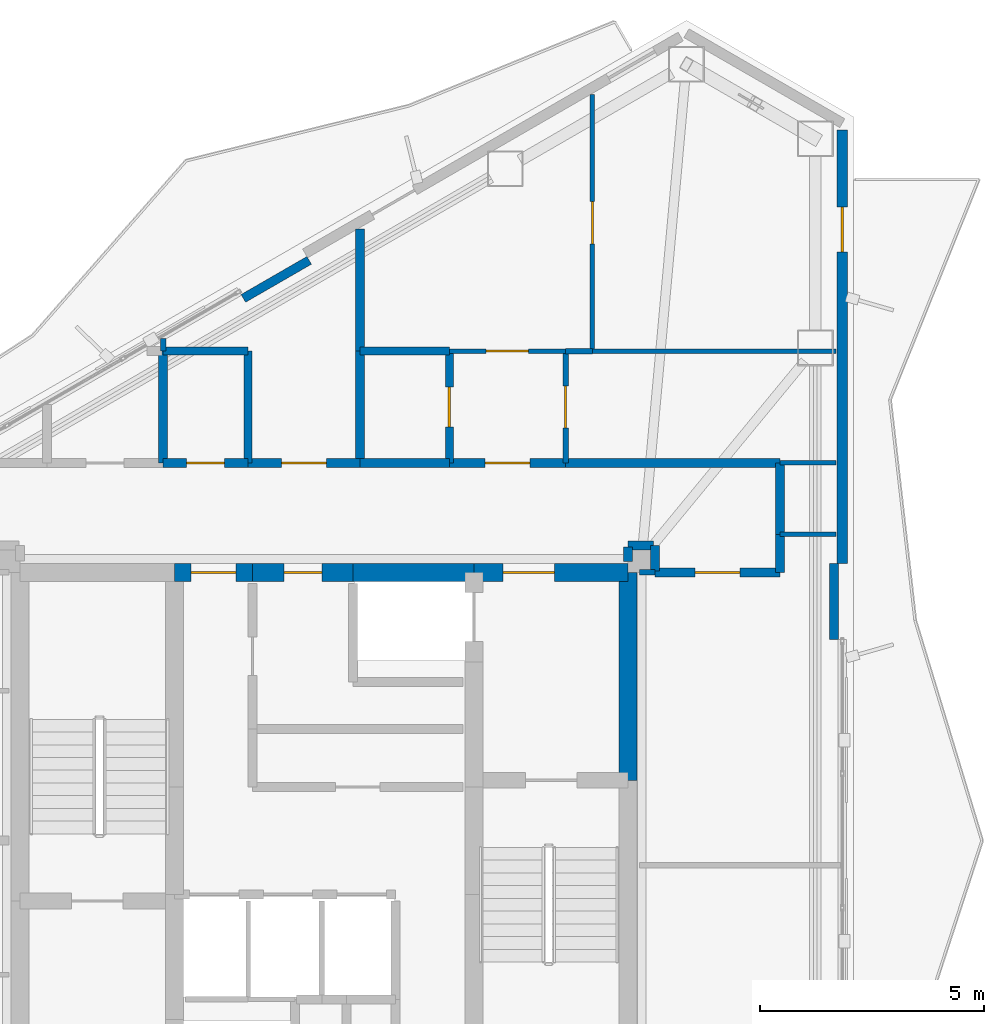
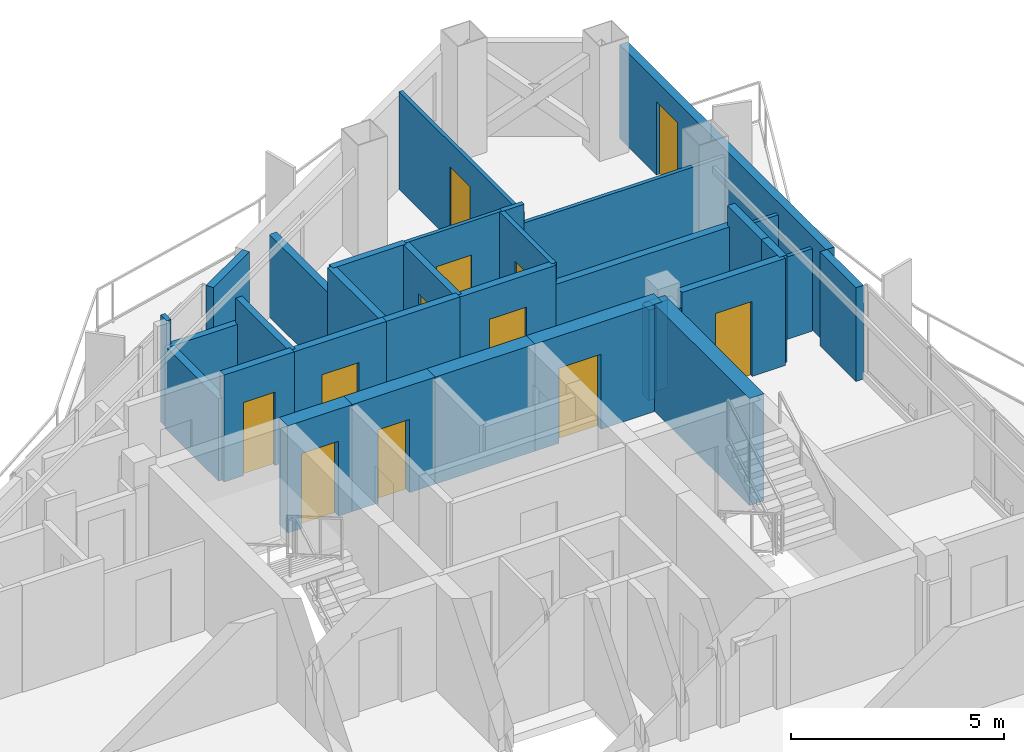
# One storey, part 19 of 22: 35 walls, 12 doors, 12 openings.
"""IFC4 building model written with IfcOpenShell, lengths in metres."""

from ifc_helpers import new_model, si_unit, direction, frame, frame_2d, origin, place, context, subcontext, project, spatial, rectangle, extrude, material, layer, layer_set, type_object, element, fill, save


model = new_model("IFC4")

# Units and contexts
model_context = context("Model", 3, precision=1e-05, world=origin(), true_north=direction((0.0, 1.0)))
body_context = subcontext(model_context, "Body", "Model", "MODEL_VIEW")
ifc_project = project(units=[si_unit("LENGTHUNIT", "METRE"), si_unit("AREAUNIT", "SQUARE_METRE"), si_unit("VOLUMEUNIT", "CUBIC_METRE"), si_unit("PLANEANGLEUNIT", "RADIAN"), si_unit("MASSUNIT", "GRAM", prefix="KILO")], contexts=[model_context])

# Site, building, storey
site_placement = place(None, origin())
site = spatial("IfcSite", under=ifc_project, at=site_placement, CompositionType="ELEMENT")
building_placement = place(site_placement, origin())
building = spatial("IfcBuilding", under=site, at=building_placement, Name="Mersakhor Tower and Convention Hall", CompositionType="ELEMENT")
storey_placement = place(building_placement, frame((0.0, 0.0, 201.89990234375)))
storey = spatial("IfcBuildingStorey", under=building, at=storey_placement, Name="L56", CompositionType="ELEMENT", Elevation=201.89990234375)

# Wall, opening, door
ifc_material_1 = material(Name="Precast concrete C40/50", Category="concrete")
ifc_layer_1 = layer(ifc_material_1, 0.22509765625)
ifc_layer_set_1 = layer_set([ifc_layer_1], Name="Precast concrete C40/50")
wall_type_1 = type_object("IfcWallType", Name="WL-EXT-225", PredefinedType="SOLIDWALL", material=ifc_layer_set_1)
wall_1_placement = place(storey_placement, frame((40.58837890625, 42.6484375, 0.0), z_axis=(0.0, 0.0, 1.0), x_axis=(0.0, -1.0, 0.0)))
wall_1 = element("IfcWall", 1, at=wall_1_placement, inside=storey, type_object=wall_type_1, Name="L56 Exterior Facade Wall F2-B1", PredefinedType="SOLIDWALL", context=body_context, shape_type="SweptSolid", body=[
    extrude(rectangle(XDim=9.698974609375, YDim=0.22509765625, at=frame_2d((4.849609375, 0.0))), origin(), (0.0, 0.0, 1.0), 2.690185546875),
])
opening_1_placement = place(wall_1_placement, frame((1.72998046875, 0.0, 0.0)))
opening_1 = element("IfcOpeningElement", 2, at=opening_1_placement, cuts=wall_1, Name="Opening BD-01", PredefinedType="OPENING", context=body_context, shape_type="SweptSolid", body=[
    extrude(rectangle(XDim=1.0, YDim=2.10009765625, at=frame_2d((0.5, 1.050048828125))), frame((0.0, 0.12255859375, 0.0), z_axis=(0.0, -1.0, 0.0), x_axis=(1.0, 0.0, 0.0)), (0.0, 0.0, 1.0), 0.2451171875),
])
ifc_material_2 = material(Name="Thermally broken dark aluminium and safety glass", Category="aluminium")
door_type_1 = type_object("IfcDoorType", Name="DR-BAL-100x210", OperationType="NOTDEFINED", PredefinedType="DOOR", material=ifc_material_2)
door_1_placement = place(opening_1_placement, origin())
door_1 = element("IfcDoor", 3, at=door_1_placement, inside=storey, type_object=door_type_1, Name="L56 Balcony Terrace Door F2-B1", OperationType="SINGLE_SWING_LEFT", OverallHeight=2.10009765625, OverallWidth=1.0, PredefinedType="DOOR", context=body_context, shape_type="SweptSolid", body=[
    extrude(rectangle(XDim=1.0, YDim=2.10009765625, at=frame_2d((0.5, 1.050048828125))), frame((0.0, 0.02490234375, 0.0), z_axis=(0.0, -1.0, 0.0), x_axis=(1.0, 0.0, 0.0)), (0.0, 0.0, 1.0), 0.050048828125),
])
fill(opening_1, door_1)

# Walls
ifc_material_3 = material(Name="Precast concrete C40/50", Category="concrete")
ifc_layer_2 = layer(ifc_material_3, 0.199951171875)
ifc_layer_set_2 = layer_set([ifc_layer_2], Name="Precast concrete C40/50")
wall_type_2 = type_object("IfcWallType", Name="WL-PAR-200", PredefinedType="PARAPET", material=ifc_layer_set_2)
wall_2_placement = place(storey_placement, frame((27.1923828125, 38.879638671875, 0.0), z_axis=(0.0, 0.0, 1.0), x_axis=(0.866025371046, 0.500000056704, 0.0)))
element("IfcWall", 4, at=wall_2_placement, inside=storey, type_object=wall_type_2, Name="L56 Column Pier Cladding Wall F1-C2", PredefinedType="PARAPET", context=body_context, shape_type="SweptSolid", body=[
    extrude(rectangle(XDim=1.7001953125, YDim=0.199951171875, at=frame_2d((0.85009765625, 0.0))), origin(), (0.0, 0.0, 1.0), 2.690185546875),
])
wall_3_placement = place(storey_placement, frame((40.408447265625, 32.949462890625, 0.0), z_axis=(0.0, 0.0, 1.0), x_axis=(0.0, -1.0, 0.0)))
element("IfcWall", 5, at=wall_3_placement, inside=storey, type_object=wall_type_2, Name="L56 Column Pier Cladding Wall F2-C1", PredefinedType="PARAPET", context=body_context, shape_type="SweptSolid", body=[
    extrude(rectangle(XDim=1.699951171875, YDim=0.199951171875, at=frame_2d((0.85009765625, 0.0))), origin(), (0.0, 0.0, 1.0), 2.690185546875),
])

# Wall, opening, door
ifc_material_4 = material(Name="Moisture-resistant acoustic drywall studwork", Category="other")
ifc_layer_3 = layer(ifc_material_4, 0.175048828125)
ifc_layer_set_3 = layer_set([ifc_layer_3], Name="Moisture-resistant acoustic drywall studwork")
wall_type_3 = type_object("IfcWallType", Name="WL-PLM-175", PredefinedType="PLUMBINGWALL", material=ifc_layer_set_3)
wall_4_placement = place(storey_placement, frame((31.800048828125, 35.199951171875, 0.0), z_axis=(0.0, 0.0, 1.0), x_axis=(0.0, 1.0, 0.0)))
wall_4 = element("IfcWall", 6, at=wall_4_placement, inside=storey, type_object=wall_type_3, Name="L56 Interior Partition Wall P-052", PredefinedType="PLUMBINGWALL", context=body_context, shape_type="SweptSolid", body=[
    extrude(rectangle(XDim=2.5, YDim=0.175048828125, at=frame_2d((1.25, 0.0))), origin(), (0.0, 0.0, 1.0), 3.070068359375),
])
opening_2_placement = place(wall_4_placement, frame((0.800048828125, 0.0, 0.0)))
opening_2 = element("IfcOpeningElement", 7, at=opening_2_placement, cuts=wall_4, Name="Opening WD-01", PredefinedType="OPENING", context=body_context, shape_type="SweptSolid", body=[
    extrude(rectangle(XDim=0.89990234375, YDim=2.10009765625, at=frame_2d((0.449951171875, 1.050048828125))), frame((0.0, 0.097412109375, 0.0), z_axis=(0.0, -1.0, 0.0), x_axis=(1.0, 0.0, 0.0)), (0.0, 0.0, 1.0), 0.195068359375),
])
ifc_material_5 = material(Name="Solid-core hardwood leaf in painted steel frame", Category="steel")
door_type_2 = type_object("IfcDoorType", Name="DR-INT-WET-090x210", OperationType="NOTDEFINED", PredefinedType="DOOR", material=ifc_material_5)
door_2_placement = place(opening_2_placement, origin())
door_2 = element("IfcDoor", 8, at=door_2_placement, inside=storey, type_object=door_type_2, Name="L56 L56 Flat N2 Apartment Hall to L56 Flat N2 Bathroom Door", OperationType="SINGLE_SWING_RIGHT", OverallHeight=2.10009765625, OverallWidth=0.89990234375, PredefinedType="DOOR", context=body_context, shape_type="SweptSolid", body=[
    extrude(rectangle(XDim=0.89990234375, YDim=2.10009765625, at=frame_2d((0.449951171875, 1.050048828125))), frame((0.0, 0.02490234375, 0.0), z_axis=(0.0, -1.0, 0.0), x_axis=(1.0, 0.0, 0.0)), (0.0, 0.0, 1.0), 0.050048828125),
])
fill(opening_2, door_2)

# Walls
wall_5_placement = place(storey_placement, frame((25.39990234375, 37.699951171875, 0.0), z_axis=(0.0, 0.0, 1.0), x_axis=(1.0, 0.0, 0.0)))
element("IfcWall", 9, at=wall_5_placement, inside=storey, type_object=wall_type_3, Name="L56 Interior Partition Wall P-063", PredefinedType="PLUMBINGWALL", context=body_context, shape_type="SweptSolid", body=[
    extrude(rectangle(XDim=1.900146484375, YDim=0.175048828125, at=frame_2d((0.9501953125, 0.0))), origin(), (0.0, 0.0, 1.0), 2.364990234375),
])
wall_6_placement = place(storey_placement, frame((27.300048828125, 37.699951171875, 0.0), z_axis=(0.0, 0.0, 1.0), x_axis=(0.0, -1.0, 0.0)))
element("IfcWall", 10, at=wall_6_placement, inside=storey, type_object=wall_type_3, Name="L56 Interior Partition Wall P-064", PredefinedType="PLUMBINGWALL", context=body_context, shape_type="SweptSolid", body=[
    extrude(rectangle(XDim=2.5, YDim=0.175048828125, at=frame_2d((1.25, 0.0))), origin(), (0.0, 0.0, 1.0), 3.070068359375),
])
wall_7_placement = place(storey_placement, frame((29.800048828125, 37.699951171875, 0.0), z_axis=(0.0, 0.0, 1.0), x_axis=(1.0, 0.0, 0.0)))
element("IfcWall", 11, at=wall_7_placement, inside=storey, type_object=wall_type_3, Name="L56 Interior Partition Wall P-066", PredefinedType="PLUMBINGWALL", context=body_context, shape_type="SweptSolid", body=[
    extrude(rectangle(XDim=2.0, YDim=0.175048828125, at=frame_2d((1.0, 0.0))), origin(), (0.0, 0.0, 1.0), 3.070068359375),
])

# Wall, opening, door
ifc_material_6 = material(Name="Lightweight gypsum partition", Category="other")
ifc_layer_4 = layer(ifc_material_6, 0.10009765625)
ifc_layer_set_4 = layer_set([ifc_layer_4], Name="Lightweight gypsum partition")
wall_type_4 = type_object("IfcWallType", Name="WL-PRT-100", PredefinedType="PARTITIONING", material=ifc_layer_set_4)
wall_8_placement = place(storey_placement, frame((31.800048828125, 37.699951171875, 0.0), z_axis=(0.0, 0.0, 1.0), x_axis=(1.0, 0.0, 0.0)))
wall_8 = element("IfcWall", 12, at=wall_8_placement, inside=storey, type_object=wall_type_4, Name="L56 Interior Partition Wall P-050", PredefinedType="PARTITIONING", context=body_context, shape_type="SweptSolid", body=[
    extrude(rectangle(XDim=2.599853515625, YDim=0.10009765625, at=frame_2d((1.2998046875, 0.0))), origin(), (0.0, 0.0, 1.0), 3.070068359375),
])
opening_3_placement = place(wall_8_placement, frame((0.824951171875, 0.0, 0.0)))
opening_3 = element("IfcOpeningElement", 13, at=opening_3_placement, cuts=wall_8, Name="Opening RD-01", PredefinedType="OPENING", context=body_context, shape_type="SweptSolid", body=[
    extrude(rectangle(XDim=0.949951171875, YDim=2.10009765625, at=frame_2d((0.47509765625, 1.050048828125))), frame((0.0, 0.06005859375, 0.0), z_axis=(0.0, -1.0, 0.0), x_axis=(1.0, 0.0, 0.0)), (0.0, 0.0, 1.0), 0.1201171875),
])
ifc_material_7 = material(Name="Solid-core hardwood leaf in painted steel frame", Category="steel")
door_type_3 = type_object("IfcDoorType", Name="DR-INT-RM-095x210", OperationType="NOTDEFINED", PredefinedType="DOOR", material=ifc_material_7)
door_3_placement = place(opening_3_placement, origin())
door_3 = element("IfcDoor", 14, at=door_3_placement, inside=storey, type_object=door_type_3, Name="L56 L56 Flat N2 Apartment Hall to L56 Flat N2 Living and Dining Room Door", OperationType="SINGLE_SWING_RIGHT", OverallHeight=2.10009765625, OverallWidth=0.949951171875, PredefinedType="DOOR", context=body_context, shape_type="SweptSolid", body=[
    extrude(rectangle(XDim=0.949951171875, YDim=2.10009765625, at=frame_2d((0.47509765625, 1.050048828125))), frame((0.0, 0.02490234375, 0.0), z_axis=(0.0, -1.0, 0.0), x_axis=(1.0, 0.0, 0.0)), (0.0, 0.0, 1.0), 0.050048828125),
])
fill(opening_3, door_3)

# Walls
wall_9_placement = place(storey_placement, frame((40.451904296875, 35.199951171875, 0.0), z_axis=(0.0, 0.0, 1.0), x_axis=(-1.0, 0.0, 0.0)))
element("IfcWall", 15, at=wall_9_placement, inside=storey, type_object=wall_type_4, Name="L56 Interior Partition Wall P-068", PredefinedType="PARTITIONING", context=body_context, shape_type="SweptSolid", body=[
    extrude(rectangle(XDim=1.251953125, YDim=0.10009765625, at=frame_2d((0.6259765625, 0.0))), origin(), (0.0, 0.0, 1.0), 2.364990234375),
])
wall_10_placement = place(storey_placement, frame((35.0, 37.699951171875, 0.0), z_axis=(0.0, 0.0, 1.0), x_axis=(1.0, 0.0, 0.0)))
element("IfcWall", 16, at=wall_10_placement, inside=storey, type_object=wall_type_4, Name="L56 Interior Partition Wall P-070", PredefinedType="PARTITIONING", context=body_context, shape_type="SweptSolid", body=[
    extrude(rectangle(XDim=5.451904296875, YDim=0.10009765625, at=frame_2d((2.72607421875, 0.0))), origin(), (0.0, 0.0, 1.0), 2.518310546875),
])
wall_11_placement = place(storey_placement, frame((39.199951171875, 33.60009765625, 0.0), z_axis=(0.0, 0.0, 1.0), x_axis=(1.0, 0.0, 0.0)))
element("IfcWall", 17, at=wall_11_placement, inside=storey, type_object=wall_type_4, Name="L56 Interior Partition Wall P-092", PredefinedType="PARTITIONING", context=body_context, shape_type="SweptSolid", body=[
    extrude(rectangle(XDim=1.251953125, YDim=0.10009765625, at=frame_2d((0.6259765625, 0.0))), origin(), (0.0, 0.0, 1.0), 2.364990234375),
])

# Wall, opening, door
wall_12_placement = place(storey_placement, frame((35.0, 43.4375, 0.0), z_axis=(0.0, 0.0, 1.0), x_axis=(0.0, -1.0, 0.0)))
wall_12 = element("IfcWall", 18, at=wall_12_placement, inside=storey, type_object=wall_type_4, Name="L56 Interior Partition Wall P-100", PredefinedType="PARTITIONING", context=body_context, shape_type="SweptSolid", body=[
    extrude(rectangle(XDim=5.737548828125, YDim=0.10009765625, at=frame_2d((2.86865234375, 0.0))), origin(), (0.0, 0.0, 1.0), 2.794677734375),
])
opening_4_placement = place(wall_12_placement, frame((2.393798828125, 0.0, 0.0)))
opening_4 = element("IfcOpeningElement", 19, at=opening_4_placement, cuts=wall_12, Name="Opening RD-01", PredefinedType="OPENING", context=body_context, shape_type="SweptSolid", body=[
    extrude(rectangle(XDim=0.949951171875, YDim=2.10009765625, at=frame_2d((0.47509765625, 1.050048828125))), frame((0.0, 0.06005859375, 0.0), z_axis=(0.0, -1.0, 0.0), x_axis=(1.0, 0.0, 0.0)), (0.0, 0.0, 1.0), 0.1201171875),
])
door_4_placement = place(opening_4_placement, origin())
door_4 = element("IfcDoor", 20, at=door_4_placement, inside=storey, type_object=door_type_3, Name="L56 L56 Flat N2 Living and Dining Room to L56 Flat N2 Bedroom 1 Door", OperationType="SINGLE_SWING_LEFT", OverallHeight=2.10009765625, OverallWidth=0.949951171875, PredefinedType="DOOR", context=body_context, shape_type="SweptSolid", body=[
    extrude(rectangle(XDim=0.949951171875, YDim=2.10009765625, at=frame_2d((0.47509765625, 1.050048828125))), frame((0.0, 0.02490234375, 0.0), z_axis=(0.0, -1.0, 0.0), x_axis=(1.0, 0.0, 0.0)), (0.0, 0.0, 1.0), 0.050048828125),
])
fill(opening_4, door_4)

ifc_material_8 = material(Name="Gypsum board acoustic partition", Category="other")
ifc_layer_5 = layer(ifc_material_8, 0.125)
ifc_layer_set_5 = layer_set([ifc_layer_5], Name="Gypsum board acoustic partition")
wall_type_5 = type_object("IfcWallType", Name="WL-PRT-125", PredefinedType="PARTITIONING", material=ifc_layer_set_5)
wall_13_placement = place(storey_placement, frame((34.39990234375, 37.699951171875, 0.0), z_axis=(0.0, 0.0, 1.0), x_axis=(0.0, -1.0, 0.0)))
wall_13 = element("IfcWall", 21, at=wall_13_placement, inside=storey, type_object=wall_type_5, Name="L56 Interior Partition Wall P-051", PredefinedType="PARTITIONING", context=body_context, shape_type="SweptSolid", body=[
    extrude(rectangle(XDim=2.5, YDim=0.125, at=frame_2d((1.25, 0.0))), origin(), (0.0, 0.0, 1.0), 3.070068359375),
])
opening_5_placement = place(wall_13_placement, frame((0.77490234375, 0.0, 0.0)))
opening_5 = element("IfcOpeningElement", 22, at=opening_5_placement, cuts=wall_13, Name="Opening RD-01", PredefinedType="OPENING", context=body_context, shape_type="SweptSolid", body=[
    extrude(rectangle(XDim=0.949951171875, YDim=2.10009765625, at=frame_2d((0.47509765625, 1.050048828125))), frame((0.0, 0.072509765625, 0.0), z_axis=(0.0, -1.0, 0.0), x_axis=(1.0, 0.0, 0.0)), (0.0, 0.0, 1.0), 0.14501953125),
])
door_5_placement = place(opening_5_placement, origin())
door_5 = element("IfcDoor", 23, at=door_5_placement, inside=storey, type_object=door_type_3, Name="L56 L56 Flat N2 Apartment Hall to L56 Flat N2 Kitchen Door", OperationType="SINGLE_SWING_LEFT", OverallHeight=2.10009765625, OverallWidth=0.949951171875, PredefinedType="DOOR", context=body_context, shape_type="SweptSolid", body=[
    extrude(rectangle(XDim=0.949951171875, YDim=2.10009765625, at=frame_2d((0.47509765625, 1.050048828125))), frame((0.0, 0.02490234375, 0.0), z_axis=(0.0, -1.0, 0.0), x_axis=(1.0, 0.0, 0.0)), (0.0, 0.0, 1.0), 0.050048828125),
])
fill(opening_5, door_5)

# Walls
wall_14_placement = place(storey_placement, frame((34.39990234375, 37.699951171875, 0.0), z_axis=(0.0, 0.0, 1.0), x_axis=(1.0, 0.0, 0.0)))
element("IfcWall", 24, at=wall_14_placement, inside=storey, type_object=wall_type_5, Name="L56 Interior Partition Wall P-069", PredefinedType="PARTITIONING", context=body_context, shape_type="SweptSolid", body=[
    extrude(rectangle(XDim=0.60009765625, YDim=0.125, at=frame_2d((0.300048828125, 0.0))), origin(), (0.0, 0.0, 1.0), 3.070068359375),
])
wall_15_placement = place(storey_placement, frame((36.050048828125, 32.75, 0.0), z_axis=(0.0, 0.0, 1.0), x_axis=(1.0, 0.0, 0.0)))
element("IfcWall", 25, at=wall_15_placement, inside=storey, type_object=wall_type_5, Name="L56 Interior Partition Wall P-091", PredefinedType="PARTITIONING", context=body_context, shape_type="SweptSolid", body=[
    extrude(rectangle(XDim=0.349853515625, YDim=0.125, at=frame_2d((0.1748046875, 0.0))), origin(), (0.0, 0.0, 1.0), 2.59521484375),
])
wall_16_placement = place(storey_placement, frame((25.39990234375, 37.699951171875, 0.0), z_axis=(0.0, 0.0, 1.0), x_axis=(0.0, 1.0, 0.0)))
element("IfcWall", 26, at=wall_16_placement, inside=storey, type_object=wall_type_5, Name="L56 Interior Partition Wall P-099", PredefinedType="PARTITIONING", context=body_context, shape_type="SweptSolid", body=[
    extrude(rectangle(XDim=0.27880859375, YDim=0.125, at=frame_2d((0.139404296875, 0.0))), origin(), (0.0, 0.0, 1.0), 3.070068359375),
])
ifc_material_9 = material(Name="Acoustic concrete blockwork and gypsum board", Category="masonry")
ifc_layer_6 = layer(ifc_material_9, 0.199951171875)
ifc_layer_set_6 = layer_set([ifc_layer_6], Name="Acoustic concrete blockwork and gypsum board")
wall_type_6 = type_object("IfcWallType", Name="WL-PRT-200", PredefinedType="PARTITIONING", material=ifc_layer_set_6)
wall_17_placement = place(storey_placement, frame((39.199951171875, 35.199951171875, 0.0), z_axis=(0.0, 0.0, 1.0), x_axis=(0.0, -1.0, 0.0)))
element("IfcWall", 27, at=wall_17_placement, inside=storey, type_object=wall_type_6, Name="L56 Interior Partition Wall P-016", PredefinedType="PARTITIONING", context=body_context, shape_type="SweptSolid", body=[
    extrude(rectangle(XDim=1.599853515625, YDim=0.199951171875, at=frame_2d((0.7998046875, 0.0))), origin(), (0.0, 0.0, 1.0), 3.070068359375),
])
wall_18_placement = place(storey_placement, frame((39.199951171875, 33.60009765625, 0.0), z_axis=(0.0, 0.0, 1.0), x_axis=(0.0, -1.0, 0.0)))
element("IfcWall", 28, at=wall_18_placement, inside=storey, type_object=wall_type_6, Name="L56 Interior Partition Wall P-017", PredefinedType="PARTITIONING", context=body_context, shape_type="SweptSolid", body=[
    extrude(rectangle(XDim=0.85009765625, YDim=0.199951171875, at=frame_2d((0.425048828125, 0.0))), origin(), (0.0, 0.0, 1.0), 3.070068359375),
])

# Wall, opening, door
wall_19_placement = place(storey_placement, frame((39.199951171875, 32.75, 0.0), z_axis=(0.0, 0.0, 1.0), x_axis=(-1.0, 0.0, 0.0)))
wall_19 = element("IfcWall", 29, at=wall_19_placement, inside=storey, type_object=wall_type_6, Name="L56 Interior Partition Wall P-018", PredefinedType="PARTITIONING", context=body_context, shape_type="SweptSolid", body=[
    extrude(rectangle(XDim=2.800048828125, YDim=0.199951171875, at=frame_2d((1.39990234375, 0.0))), origin(), (0.0, 0.0, 1.0), 3.070068359375),
])
opening_6_placement = place(wall_19_placement, frame((0.89990234375, 0.0, 0.0)))
opening_6 = element("IfcOpeningElement", 30, at=opening_6_placement, cuts=wall_19, Name="Opening FD-01", PredefinedType="OPENING", context=body_context, shape_type="SweptSolid", body=[
    extrude(rectangle(XDim=1.0, YDim=2.14990234375, at=frame_2d((0.5, 1.074951171875))), frame((0.0, 0.10986328125, 0.0), z_axis=(0.0, -1.0, 0.0), x_axis=(1.0, 0.0, 0.0)), (0.0, 0.0, 1.0), 0.219970703125),
])
ifc_material_10 = material(Name="Fire-rated hardwood leaf and painted steel frame", Category="steel")
door_type_4 = type_object("IfcDoorType", Name="DR-INT-FLT-100x215", OperationType="NOTDEFINED", PredefinedType="DOOR", material=ifc_material_10)
door_6_placement = place(opening_6_placement, origin())
door_6 = element("IfcDoor", 31, at=door_6_placement, inside=storey, type_object=door_type_4, Name="L56 Residential North Gallery Corridor to L56 East Wing Sky Study Room Door", OperationType="SINGLE_SWING_RIGHT", OverallHeight=2.14990234375, OverallWidth=1.0, PredefinedType="DOOR", context=body_context, shape_type="SweptSolid", body=[
    extrude(rectangle(XDim=1.0, YDim=2.14990234375, at=frame_2d((0.5, 1.074951171875))), frame((0.0, 0.02490234375, 0.0), z_axis=(0.0, -1.0, 0.0), x_axis=(1.0, 0.0, 0.0)), (0.0, 0.0, 1.0), 0.050048828125),
])
fill(opening_6, door_6)

# Walls
for number, where, z_axis, x_axis, name in (
    (32, (36.39990234375, 32.780029296875, 0.0), (0.0, 0.0, 1.0), (0.0, 1.0, 0.0), "L56 Interior Partition Wall P-019"),
    (33, (36.3701171875, 33.35009765625, 0.0), (0.0, 0.0, 1.0), (-1.0, 0.0, 0.0), "L56 Interior Partition Wall P-020"),
):
    element("IfcWall", number, at=place(storey_placement, frame(where, z_axis=z_axis, x_axis=x_axis)), inside=storey, type_object=wall_type_6, Name=name, PredefinedType="PARTITIONING", context=body_context, shape_type="SweptSolid", body=[
        extrude(rectangle(XDim=0.570068359375, YDim=0.199951171875, at=frame_2d((0.28515625, 0.0))), origin(), (0.0, 0.0, 1.0), 2.518310546875),
    ])
wall_20_placement = place(storey_placement, frame((35.800048828125, 33.320068359375, 0.0), z_axis=(0.0, 0.0, 1.0), x_axis=(0.0, -1.0, 0.0)))
element("IfcWall", 34, at=wall_20_placement, inside=storey, type_object=wall_type_6, Name="L56 Interior Partition Wall P-021", PredefinedType="PARTITIONING", context=body_context, shape_type="SweptSolid", body=[
    extrude(rectangle(XDim=0.320068359375, YDim=0.199951171875, at=frame_2d((0.16015625, 0.0))), origin(), (0.0, 0.0, 1.0), 2.59521484375),
])

# Wall, opening, door
wall_21_placement = place(storey_placement, frame((25.39990234375, 35.199951171875, 0.0), z_axis=(0.0, 0.0, 1.0), x_axis=(1.0, 0.0, 0.0)))
wall_21 = element("IfcWall", 35, at=wall_21_placement, inside=storey, type_object=wall_type_6, Name="L56 Interior Partition Wall P-029", PredefinedType="PARTITIONING", context=body_context, shape_type="SweptSolid", body=[
    extrude(rectangle(XDim=1.900146484375, YDim=0.199951171875, at=frame_2d((0.9501953125, 0.0))), origin(), (0.0, 0.0, 1.0), 3.070068359375),
])
opening_7_placement = place(wall_21_placement, frame((0.52490234375, 0.0, 0.0)))
opening_7 = element("IfcOpeningElement", 36, at=opening_7_placement, cuts=wall_21, Name="Opening SVD-01", PredefinedType="OPENING", context=body_context, shape_type="SweptSolid", body=[
    extrude(rectangle(XDim=0.85009765625, YDim=2.10009765625, at=frame_2d((0.425048828125, 1.050048828125))), frame((0.0, 0.10986328125, 0.0), z_axis=(0.0, -1.0, 0.0), x_axis=(1.0, 0.0, 0.0)), (0.0, 0.0, 1.0), 0.219970703125),
])
ifc_material_11 = material(Name="Fire-rated hardwood leaf and painted steel frame", Category="steel")
door_type_5 = type_object("IfcDoorType", Name="DR-INT-SVC-085x210", OperationType="NOTDEFINED", PredefinedType="DOOR", material=ifc_material_11)
door_7_placement = place(opening_7_placement, origin())
door_7 = element("IfcDoor", 37, at=door_7_placement, inside=storey, type_object=door_type_5, Name="L56 Residential North Gallery Corridor to L56 Floor Shared Restroom WC 1-2 Door", OperationType="SINGLE_SWING_RIGHT", OverallHeight=2.10009765625, OverallWidth=0.85009765625, PredefinedType="DOOR", context=body_context, shape_type="SweptSolid", body=[
    extrude(rectangle(XDim=0.85009765625, YDim=2.10009765625, at=frame_2d((0.425048828125, 1.050048828125))), frame((0.0, 0.02490234375, 0.0), z_axis=(0.0, -1.0, 0.0), x_axis=(1.0, 0.0, 0.0)), (0.0, 0.0, 1.0), 0.050048828125),
])
fill(opening_7, door_7)

wall_22_placement = place(storey_placement, frame((27.300048828125, 35.199951171875, 0.0), z_axis=(0.0, 0.0, 1.0), x_axis=(1.0, 0.0, 0.0)))
wall_22 = element("IfcWall", 38, at=wall_22_placement, inside=storey, type_object=wall_type_6, Name="L56 Interior Partition Wall P-030", PredefinedType="PARTITIONING", context=body_context, shape_type="SweptSolid", body=[
    extrude(rectangle(XDim=2.5, YDim=0.199951171875, at=frame_2d((1.25, 0.0))), origin(), (0.0, 0.0, 1.0), 3.070068359375),
])
opening_8_placement = place(wall_22_placement, frame((0.75, 0.0, 0.0)))
opening_8 = element("IfcOpeningElement", 39, at=opening_8_placement, cuts=wall_22, Name="Opening FD-01", PredefinedType="OPENING", context=body_context, shape_type="SweptSolid", body=[
    extrude(rectangle(XDim=1.0, YDim=2.14990234375, at=frame_2d((0.5, 1.074951171875))), frame((0.0, 0.10986328125, 0.0), z_axis=(0.0, -1.0, 0.0), x_axis=(1.0, 0.0, 0.0)), (0.0, 0.0, 1.0), 0.219970703125),
])
door_8_placement = place(opening_8_placement, origin())
door_8 = element("IfcDoor", 40, at=door_8_placement, inside=storey, type_object=door_type_4, Name="L56 Residential North Gallery Corridor to L56 Floor Residents Study Room 1-3 Door", OperationType="SINGLE_SWING_RIGHT", OverallHeight=2.14990234375, OverallWidth=1.0, PredefinedType="DOOR", context=body_context, shape_type="SweptSolid", body=[
    extrude(rectangle(XDim=1.0, YDim=2.14990234375, at=frame_2d((0.5, 1.074951171875))), frame((0.0, 0.02490234375, 0.0), z_axis=(0.0, -1.0, 0.0), x_axis=(1.0, 0.0, 0.0)), (0.0, 0.0, 1.0), 0.050048828125),
])
fill(opening_8, door_8)

# Wall
wall_23_placement = place(storey_placement, frame((29.800048828125, 35.199951171875, 0.0), z_axis=(0.0, 0.0, 1.0), x_axis=(1.0, 0.0, 0.0)))
element("IfcWall", 41, at=wall_23_placement, inside=storey, type_object=wall_type_6, Name="L56 Interior Partition Wall P-031", PredefinedType="PARTITIONING", context=body_context, shape_type="SweptSolid", body=[
    extrude(rectangle(XDim=2.0, YDim=0.199951171875, at=frame_2d((1.0, 0.0))), origin(), (0.0, 0.0, 1.0), 3.070068359375),
])

# Wall, opening, door
wall_24_placement = place(storey_placement, frame((31.800048828125, 35.199951171875, 0.0), z_axis=(0.0, 0.0, 1.0), x_axis=(1.0, 0.0, 0.0)))
wall_24 = element("IfcWall", 42, at=wall_24_placement, inside=storey, type_object=wall_type_6, Name="L56 Interior Partition Wall P-032", PredefinedType="PARTITIONING", context=body_context, shape_type="SweptSolid", body=[
    extrude(rectangle(XDim=2.599853515625, YDim=0.199951171875, at=frame_2d((1.2998046875, 0.0))), origin(), (0.0, 0.0, 1.0), 3.070068359375),
])
opening_9_placement = place(wall_24_placement, frame((0.800048828125, 0.0, 0.0)))
opening_9 = element("IfcOpeningElement", 43, at=opening_9_placement, cuts=wall_24, Name="Opening FD-01", PredefinedType="OPENING", context=body_context, shape_type="SweptSolid", body=[
    extrude(rectangle(XDim=1.0, YDim=2.14990234375, at=frame_2d((0.5, 1.074951171875))), frame((0.0, 0.10986328125, 0.0), z_axis=(0.0, -1.0, 0.0), x_axis=(1.0, 0.0, 0.0)), (0.0, 0.0, 1.0), 0.219970703125),
])
door_9_placement = place(opening_9_placement, origin())
door_9 = element("IfcDoor", 44, at=door_9_placement, inside=storey, type_object=door_type_4, Name="L56 Apartment Entrance Door (Residential North Gallery Corridor to L56 Flat N2 Apartment Hall)", OperationType="SINGLE_SWING_RIGHT", OverallHeight=2.14990234375, OverallWidth=1.0, PredefinedType="DOOR", context=body_context, shape_type="SweptSolid", body=[
    extrude(rectangle(XDim=1.0, YDim=2.14990234375, at=frame_2d((0.5, 1.074951171875))), frame((0.0, 0.02490234375, 0.0), z_axis=(0.0, -1.0, 0.0), x_axis=(1.0, 0.0, 0.0)), (0.0, 0.0, 1.0), 0.050048828125),
])
fill(opening_9, door_9)

# Walls
wall_25_placement = place(storey_placement, frame((34.39990234375, 35.199951171875, 0.0), z_axis=(0.0, 0.0, 1.0), x_axis=(1.0, 0.0, 0.0)))
element("IfcWall", 45, at=wall_25_placement, inside=storey, type_object=wall_type_6, Name="L56 Interior Partition Wall P-033", PredefinedType="PARTITIONING", context=body_context, shape_type="SweptSolid", body=[
    extrude(rectangle(XDim=4.800048828125, YDim=0.199951171875, at=frame_2d((2.39990234375, 0.0))), origin(), (0.0, 0.0, 1.0), 2.518310546875),
])
wall_26_placement = place(storey_placement, frame((25.39990234375, 35.199951171875, 0.0), z_axis=(0.0, 0.0, 1.0), x_axis=(0.0, 1.0, 0.0)))
element("IfcWall", 46, at=wall_26_placement, inside=storey, type_object=wall_type_6, Name="L56 Interior Partition Wall P-065", PredefinedType="PARTITIONING", context=body_context, shape_type="SweptSolid", body=[
    extrude(rectangle(XDim=2.5, YDim=0.199951171875, at=frame_2d((1.25, 0.0))), origin(), (0.0, 0.0, 1.0), 2.364990234375),
])
wall_27_placement = place(storey_placement, frame((29.800048828125, 35.199951171875, 0.0), z_axis=(0.0, 0.0, 1.0), x_axis=(0.0, 1.0, 0.0)))
element("IfcWall", 47, at=wall_27_placement, inside=storey, type_object=wall_type_6, Name="L56 Interior Partition Wall P-067", PredefinedType="PARTITIONING", context=body_context, shape_type="SweptSolid", body=[
    extrude(rectangle(XDim=2.5, YDim=0.199951171875, at=frame_2d((1.25, 0.0))), origin(), (0.0, 0.0, 1.0), 3.070068359375),
])
wall_28_placement = place(storey_placement, frame((29.800048828125, 40.435302734375, 0.0), z_axis=(0.0, 0.0, 1.0), x_axis=(0.0, -1.0, 0.0)))
element("IfcWall", 48, at=wall_28_placement, inside=storey, type_object=wall_type_6, Name="L56 Interior Partition Wall P-098", PredefinedType="PARTITIONING", context=body_context, shape_type="SweptSolid", body=[
    extrude(rectangle(XDim=2.7353515625, YDim=0.199951171875, at=frame_2d((1.36767578125, 0.0))), origin(), (0.0, 0.0, 1.0), 2.364990234375),
])

# Wall, opening, door
ifc_material_12 = material(Name="Concrete C60/75", Category="concrete")
ifc_layer_7 = layer(ifc_material_12, 0.39990234375)
ifc_layer_set_7 = layer_set([ifc_layer_7], Name="Concrete C60/75")
wall_type_7 = type_object("IfcWallType", Name="WL-SHR-400", PredefinedType="SHEAR", material=ifc_layer_set_7)
wall_29_placement = place(storey_placement, frame((25.64990234375, 32.75, 0.0), z_axis=(0.0, 0.0, 1.0), x_axis=(1.0, 0.0, 0.0)))
wall_29 = element("IfcWall", 49, at=wall_29_placement, inside=storey, type_object=wall_type_7, Name="L56 Core Wall CW-N2A", PredefinedType="SHEAR", context=body_context, shape_type="SweptSolid", body=[
    extrude(rectangle(XDim=1.75, YDim=0.39990234375, at=frame_2d((0.875, 0.0))), origin(), (0.0, 0.0, 1.0), 3.070068359375),
])
opening_10_placement = place(wall_29_placement, frame((0.375, 0.0, 0.0)))
opening_10 = element("IfcOpeningElement", 50, at=opening_10_placement, cuts=wall_29, Name="Opening CFD-01", PredefinedType="OPENING", context=body_context, shape_type="SweptSolid", body=[
    extrude(rectangle(XDim=1.0, YDim=2.14990234375, at=frame_2d((0.5, 1.074951171875))), frame((0.0, 0.2099609375, 0.0), z_axis=(0.0, -1.0, 0.0), x_axis=(1.0, 0.0, 0.0)), (0.0, 0.0, 1.0), 0.419921875),
])
ifc_material_13 = material(Name="Fire-rated hardwood leaf and painted steel frame", Category="steel")
door_type_6 = type_object("IfcDoorType", Name="DR-CORE-FD-100x215", OperationType="NOTDEFINED", PredefinedType="DOOR", material=ifc_material_13)
door_10_placement = place(opening_10_placement, origin())
door_10 = element("IfcDoor", 51, at=door_10_placement, inside=storey, type_object=door_type_6, Name="L56 Lift Lobby North Corridor Door", OperationType="SINGLE_SWING_LEFT", OverallHeight=2.14990234375, OverallWidth=1.0, PredefinedType="DOOR", context=body_context, shape_type="SweptSolid", body=[
    extrude(rectangle(XDim=1.0, YDim=2.14990234375, at=frame_2d((0.5, 1.074951171875))), frame((0.0, 0.02490234375, 0.0), z_axis=(0.0, -1.0, 0.0), x_axis=(1.0, 0.0, 0.0)), (0.0, 0.0, 1.0), 0.050048828125),
])
fill(opening_10, door_10)

wall_30_placement = place(storey_placement, frame((27.39990234375, 32.75, 0.0), z_axis=(0.0, 0.0, 1.0), x_axis=(1.0, 0.0, 0.0)))
wall_30 = element("IfcWall", 52, at=wall_30_placement, inside=storey, type_object=wall_type_7, Name="L56 Core Wall CW-N2B", PredefinedType="SHEAR", context=body_context, shape_type="SweptSolid", body=[
    extrude(rectangle(XDim=2.25, YDim=0.39990234375, at=frame_2d((1.125, 0.0))), origin(), (0.0, 0.0, 1.0), 3.070068359375),
])
opening_11_placement = place(wall_30_placement, frame((0.699951171875, 0.0, 0.0)))
opening_11 = element("IfcOpeningElement", 53, at=opening_11_placement, cuts=wall_30, Name="Opening SVD-01", PredefinedType="OPENING", context=body_context, shape_type="SweptSolid", body=[
    extrude(rectangle(XDim=0.85009765625, YDim=2.10009765625, at=frame_2d((0.425048828125, 1.050048828125))), frame((0.0, 0.2099609375, 0.0), z_axis=(0.0, -1.0, 0.0), x_axis=(1.0, 0.0, 0.0)), (0.0, 0.0, 1.0), 0.419921875),
])
door_11_placement = place(opening_11_placement, origin())
door_11 = element("IfcDoor", 54, at=door_11_placement, inside=storey, type_object=door_type_5, Name="L56 Residential North Gallery Corridor to Resident Recycling and Utility Store Door", OperationType="SINGLE_SWING_LEFT", OverallHeight=2.10009765625, OverallWidth=0.85009765625, PredefinedType="DOOR", context=body_context, shape_type="SweptSolid", body=[
    extrude(rectangle(XDim=0.85009765625, YDim=2.10009765625, at=frame_2d((0.425048828125, 1.050048828125))), frame((0.0, 0.02490234375, 0.0), z_axis=(0.0, -1.0, 0.0), x_axis=(1.0, 0.0, 0.0)), (0.0, 0.0, 1.0), 0.050048828125),
])
fill(opening_11, door_11)

# Wall
wall_31_placement = place(storey_placement, frame((29.64990234375, 32.75, 0.0), z_axis=(0.0, 0.0, 1.0), x_axis=(1.0, 0.0, 0.0)))
element("IfcWall", 55, at=wall_31_placement, inside=storey, type_object=wall_type_7, Name="L56 Core Wall CW-N3", PredefinedType="SHEAR", context=body_context, shape_type="SweptSolid", body=[
    extrude(rectangle(XDim=2.7001953125, YDim=0.39990234375, at=frame_2d((1.35009765625, 0.0))), origin(), (0.0, 0.0, 1.0), 3.070068359375),
])

# Wall, opening, door
wall_32_placement = place(storey_placement, frame((32.35009765625, 32.75, 0.0), z_axis=(0.0, 0.0, 1.0), x_axis=(1.0, 0.0, 0.0)))
wall_32 = element("IfcWall", 56, at=wall_32_placement, inside=storey, type_object=wall_type_7, Name="L56 Core Wall CW-N4", PredefinedType="SHEAR", context=body_context, shape_type="SweptSolid", body=[
    extrude(rectangle(XDim=3.449951171875, YDim=0.39990234375, at=frame_2d((1.72509765625, 0.0))), origin(), (0.0, 0.0, 1.0), 3.070068359375),
])
opening_12_placement = place(wall_32_placement, frame((0.64990234375, 0.0, 0.0)))
opening_12 = element("IfcOpeningElement", 57, at=opening_12_placement, cuts=wall_32, Name="Opening SD-01", PredefinedType="OPENING", context=body_context, shape_type="SweptSolid", body=[
    extrude(rectangle(XDim=1.14990234375, YDim=2.14990234375, at=frame_2d((0.574951171875, 1.074951171875))), frame((0.0, 0.2099609375, 0.0), z_axis=(0.0, -1.0, 0.0), x_axis=(1.0, 0.0, 0.0)), (0.0, 0.0, 1.0), 0.419921875),
])
ifc_material_14 = material(Name="Fire-rated hardwood leaf and painted steel frame", Category="steel")
door_type_7 = type_object("IfcDoorType", Name="DR-INT-STAIR-115x215", OperationType="NOTDEFINED", PredefinedType="DOOR", material=ifc_material_14)
door_12_placement = place(opening_12_placement, origin())
door_12 = element("IfcDoor", 58, at=door_12_placement, inside=storey, type_object=door_type_7, Name="L56 Firefighting Lobby East Fire Door", OperationType="SINGLE_SWING_RIGHT", OverallHeight=2.14990234375, OverallWidth=1.14990234375, PredefinedType="DOOR", context=body_context, shape_type="SweptSolid", body=[
    extrude(rectangle(XDim=1.14990234375, YDim=2.14990234375, at=frame_2d((0.574951171875, 1.074951171875))), frame((0.0, 0.02490234375, 0.0), z_axis=(0.0, -1.0, 0.0), x_axis=(1.0, 0.0, 0.0)), (0.0, 0.0, 1.0), 0.050048828125),
])
fill(opening_12, door_12)

# Wall
wall_33_placement = place(storey_placement, frame((35.800048828125, 32.75, 0.0), z_axis=(0.0, 0.0, 1.0), x_axis=(0.0, -1.0, 0.0)))
element("IfcWall", 59, at=wall_33_placement, inside=storey, type_object=wall_type_7, Name="L56 Core Wall CW-E1", PredefinedType="SHEAR", context=body_context, shape_type="SweptSolid", body=[
    extrude(rectangle(XDim=4.64990234375, YDim=0.39990234375, at=frame_2d((2.324951171875, 0.0))), origin(), (0.0, 0.0, 1.0), 3.070068359375),
])

save(model, "model.ifc")
